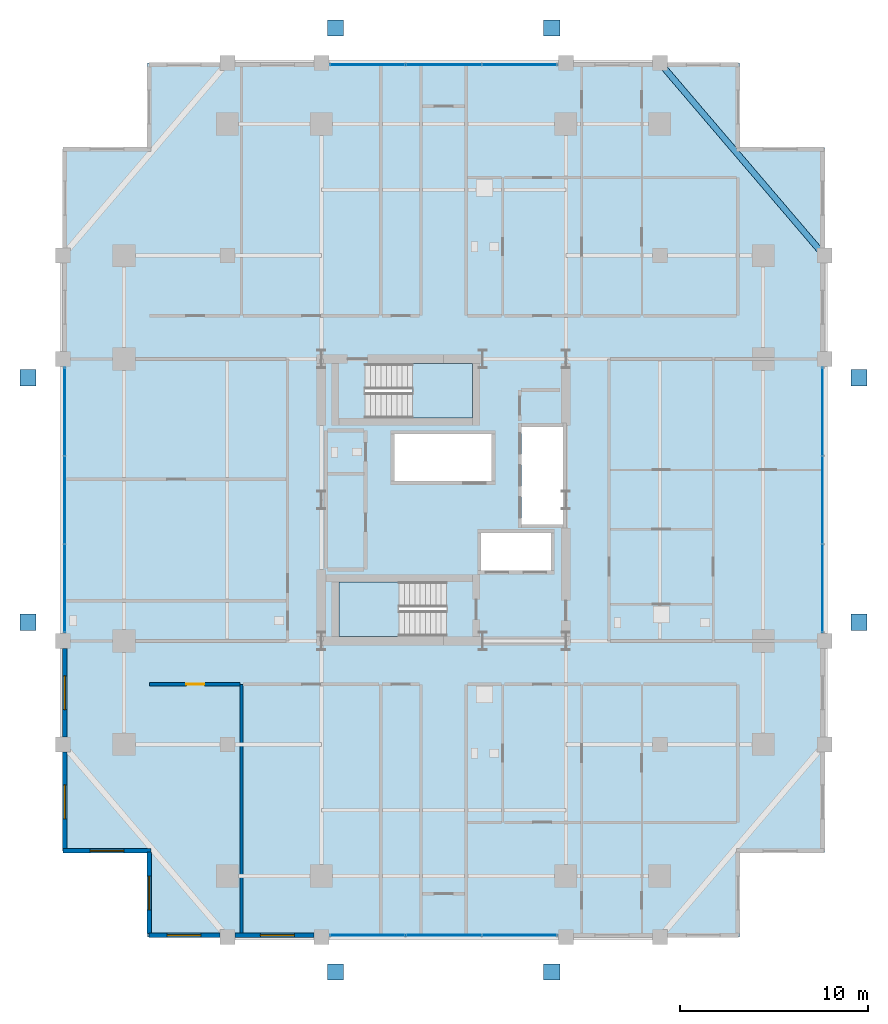
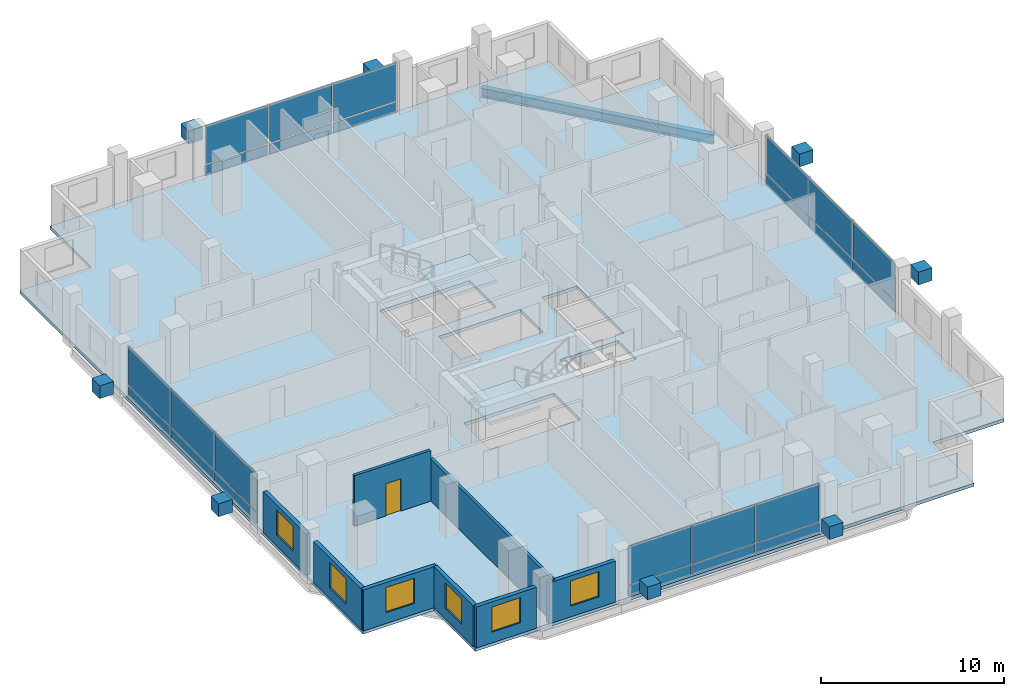
# One storey, part 13 of 19: 32 plates, 8 walls, 6 windows, 3 slabs, 1 beam, 1 door, 7 openings, 6 elements without a shape of their own.
"""IFC4 building model written with IfcOpenShell, lengths in metres."""

from ifc_helpers import new_model, si_unit, direction, frame, frame_2d, origin, origin_2d, place, context, subcontext, project, spatial, polyline, rectangle, i_section, outline, extrude, material, layer, layer_set, material_profile, profile_set, type_object, element, fill, aggregate, save


model = new_model("IFC4")

# Units and contexts
model_context = context("Model", 3, precision=1e-05, world=origin(), true_north=direction((0.0, 1.0)))
body_context = subcontext(model_context, "Body", "Model", "MODEL_VIEW")
ifc_project = project(units=[si_unit("LENGTHUNIT", "METRE"), si_unit("AREAUNIT", "SQUARE_METRE"), si_unit("VOLUMEUNIT", "CUBIC_METRE"), si_unit("PLANEANGLEUNIT", "RADIAN"), si_unit("MASSUNIT", "GRAM", prefix="KILO")], contexts=[model_context])

# Site, building, storey
site_placement = place(None, origin())
site = spatial("IfcSite", under=ifc_project, at=site_placement, CompositionType="ELEMENT")
building_placement = place(site_placement, origin())
building = spatial("IfcBuilding", under=site, at=building_placement, Name="Barlavira Tower and Art Museum", CompositionType="ELEMENT")
storey_placement = place(building_placement, frame((0.0, 0.0, 158.39990234375)))
storey = spatial("IfcBuildingStorey", under=building, at=storey_placement, Name="L40", CompositionType="ELEMENT", Elevation=158.39990234375)

# Beam
ifc_material_1 = material(Name="Steel S355", Category="steel")
ifc_material_profile = material_profile(ifc_material_1, i_section(OverallWidth=0.327880859375, OverallDepth=0.62890625, WebThickness=0.013916015625, FlangeThickness=0.021484375, at=origin_2d()), Name="W610x174.0")
ifc_profile_set = profile_set([ifc_material_profile], Name="Steel S355")
beam_type = type_object("IfcBeamType", Name="Perimeter Spandrel Edge Beam W610x174 Steel S355", PredefinedType="SPANDREL", material=ifc_profile_set)
beam_placement = place(storey_placement, frame((20.25, 13.0, -0.534423828125), z_axis=(-0.649262379928, 0.760564502202, 0.0), x_axis=(-0.760564502202, -0.649262379928, 0.0)))
element("IfcBeam", 1, at=beam_placement, inside=storey, type_object=beam_type, Name="L40 Spandrel 8", PredefinedType="SPANDREL", context=body_context, shape_type="SweptSolid", body=[
    extrude(i_section(OverallWidth=0.327880859375, OverallDepth=0.62890625, WebThickness=0.013916015625, FlangeThickness=0.021484375, at=origin_2d()), origin(), (0.0, 0.0, 1.0), 13.476806640625),
])

# Curtain wall, plates
ifc_material_2 = material(Name="Low-iron coastal laminated glass", Category="glass")
ifc_layer_1 = layer(ifc_material_2, 0.18994140625, Name="Low-iron coastal laminated glass")
ifc_layer_set_1 = layer_set([ifc_layer_1], Name="Low-iron coastal laminated glass")
curtain_wall_type = type_object("IfcCurtainWallType", Name="Pale-Metal Unitised Curtain Wall Zone 2", PredefinedType="NOTDEFINED", material=ifc_layer_set_1)
curtain_wall_1_placement = place(storey_placement, origin())
curtain_wall_1 = element("IfcCurtainWall", 2, at=curtain_wall_1_placement, inside=storey, type_object=curtain_wall_type, Name="L40 Curtain Wall CW2-L40-S-B3", PredefinedType="NOTDEFINED")
ifc_material_3 = material(Name="Pale anodised aluminium", Category="aluminium")
ifc_layer_2 = layer(ifc_material_3, 0.044921875, Name="Pale anodised aluminium")
ifc_layer_set_2 = layer_set([ifc_layer_2], Name="Pale anodised aluminium")
plate_type_1 = type_object("IfcPlateType", Name="Curtain Wall Pale-Metal Spandrel Panel 45", PredefinedType="CURTAIN_PANEL", material=ifc_layer_set_2)
plate_1_placement = place(storey_placement, frame((-4.05322265625, -23.14990234375, 0.0400390625), z_axis=(0.0, 0.0, 1.0), x_axis=(1.0, 0.0, 0.0)))
plate_1 = element("IfcPlate", 3, at=plate_1_placement, type_object=plate_type_1, Name="CW2-L40-S-B3 Spandrel Panel 0", PredefinedType="CURTAIN_PANEL", context=body_context, shape_type="SweptSolid", body=[
    extrude(rectangle(XDim=3.953369140625, YDim=0.044921875, at=origin_2d()), origin(), (0.0, 0.0, 1.0), 0.6640625),
])
plate_2_placement = place(storey_placement, frame((0.0, -23.14990234375, 0.0400390625), z_axis=(0.0, 0.0, 1.0), x_axis=(1.0, 0.0, 0.0)))
plate_2 = element("IfcPlate", 4, at=plate_2_placement, type_object=plate_type_1, Name="CW2-L40-S-B3 Spandrel Panel 1", PredefinedType="CURTAIN_PANEL", context=body_context, shape_type="SweptSolid", body=[
    extrude(rectangle(XDim=3.953369140625, YDim=0.044921875, at=origin_2d()), origin(), (0.0, 0.0, 1.0), 0.6640625),
])
plate_3_placement = place(storey_placement, frame((4.05322265625, -23.14990234375, 0.0400390625), z_axis=(0.0, 0.0, 1.0), x_axis=(1.0, 0.0, 0.0)))
plate_3 = element("IfcPlate", 5, at=plate_3_placement, type_object=plate_type_1, Name="CW2-L40-S-B3 Spandrel Panel 2", PredefinedType="CURTAIN_PANEL", context=body_context, shape_type="SweptSolid", body=[
    extrude(rectangle(XDim=3.953369140625, YDim=0.044921875, at=origin_2d()), origin(), (0.0, 0.0, 1.0), 0.6640625),
])

curtain_wall_2_placement = place(storey_placement, origin())
curtain_wall_2 = element("IfcCurtainWall", 6, at=curtain_wall_2_placement, inside=storey, type_object=curtain_wall_type, Name="L40 Curtain Wall CW2-L40-N-B3", PredefinedType="NOTDEFINED")
plate_4_placement = place(storey_placement, frame((4.05322265625, 23.14990234375, 0.0400390625), z_axis=(0.0, 0.0, 1.0), x_axis=(-1.0, 0.0, 0.0)))
plate_4 = element("IfcPlate", 7, at=plate_4_placement, type_object=plate_type_1, Name="CW2-L40-N-B3 Spandrel Panel 0", PredefinedType="CURTAIN_PANEL", context=body_context, shape_type="SweptSolid", body=[
    extrude(rectangle(XDim=3.953369140625, YDim=0.044921875, at=origin_2d()), origin(), (0.0, 0.0, 1.0), 0.6640625),
])
plate_5_placement = place(storey_placement, frame((0.0, 23.14990234375, 0.0400390625), z_axis=(0.0, 0.0, 1.0), x_axis=(-1.0, 0.0, 0.0)))
plate_5 = element("IfcPlate", 8, at=plate_5_placement, type_object=plate_type_1, Name="CW2-L40-N-B3 Spandrel Panel 1", PredefinedType="CURTAIN_PANEL", context=body_context, shape_type="SweptSolid", body=[
    extrude(rectangle(XDim=3.953369140625, YDim=0.044921875, at=origin_2d()), origin(), (0.0, 0.0, 1.0), 0.6640625),
])
plate_6_placement = place(storey_placement, frame((-4.05322265625, 23.14990234375, 0.0400390625), z_axis=(0.0, 0.0, 1.0), x_axis=(-1.0, 0.0, 0.0)))
plate_6 = element("IfcPlate", 9, at=plate_6_placement, type_object=plate_type_1, Name="CW2-L40-N-B3 Spandrel Panel 2", PredefinedType="CURTAIN_PANEL", context=body_context, shape_type="SweptSolid", body=[
    extrude(rectangle(XDim=3.953369140625, YDim=0.044921875, at=origin_2d()), origin(), (0.0, 0.0, 1.0), 0.6640625),
])

curtain_wall_3_placement = place(storey_placement, origin())
curtain_wall_3 = element("IfcCurtainWall", 10, at=curtain_wall_3_placement, inside=storey, type_object=curtain_wall_type, Name="L40 Curtain Wall CW2-L40-W-B3", PredefinedType="NOTDEFINED")
plate_7_placement = place(storey_placement, frame((-20.14990234375, 4.719970703125, 0.0400390625), z_axis=(0.0, 0.0, 1.0), x_axis=(0.0, -1.0, 0.0)))
plate_7 = element("IfcPlate", 11, at=plate_7_placement, type_object=plate_type_1, Name="CW2-L40-W-B3 Spandrel Panel 0", PredefinedType="CURTAIN_PANEL", context=body_context, shape_type="SweptSolid", body=[
    extrude(rectangle(XDim=4.6201171875, YDim=0.044921875, at=origin_2d()), origin(), (0.0, 0.0, 1.0), 0.6640625),
])
plate_8_placement = place(storey_placement, frame((-20.14990234375, 0.0, 0.0400390625), z_axis=(0.0, 0.0, 1.0), x_axis=(0.0, -1.0, 0.0)))
plate_8 = element("IfcPlate", 12, at=plate_8_placement, type_object=plate_type_1, Name="CW2-L40-W-B3 Spandrel Panel 1", PredefinedType="CURTAIN_PANEL", context=body_context, shape_type="SweptSolid", body=[
    extrude(rectangle(XDim=4.6201171875, YDim=0.044921875, at=origin_2d()), origin(), (0.0, 0.0, 1.0), 0.6640625),
])
plate_9_placement = place(storey_placement, frame((-20.14990234375, -4.719970703125, 0.0400390625), z_axis=(0.0, 0.0, 1.0), x_axis=(0.0, -1.0, 0.0)))
plate_9 = element("IfcPlate", 13, at=plate_9_placement, type_object=plate_type_1, Name="CW2-L40-W-B3 Spandrel Panel 2", PredefinedType="CURTAIN_PANEL", context=body_context, shape_type="SweptSolid", body=[
    extrude(rectangle(XDim=4.6201171875, YDim=0.044921875, at=origin_2d()), origin(), (0.0, 0.0, 1.0), 0.6640625),
])

curtain_wall_4_placement = place(storey_placement, origin())
curtain_wall_4 = element("IfcCurtainWall", 14, at=curtain_wall_4_placement, inside=storey, type_object=curtain_wall_type, Name="L40 Curtain Wall CW2-L40-E-B3", PredefinedType="NOTDEFINED")
plate_10_placement = place(storey_placement, frame((20.14990234375, -4.719970703125, 0.0400390625), z_axis=(0.0, 0.0, 1.0), x_axis=(0.0, 1.0, 0.0)))
plate_10 = element("IfcPlate", 15, at=plate_10_placement, type_object=plate_type_1, Name="CW2-L40-E-B3 Spandrel Panel 0", PredefinedType="CURTAIN_PANEL", context=body_context, shape_type="SweptSolid", body=[
    extrude(rectangle(XDim=4.6201171875, YDim=0.044921875, at=origin_2d()), origin(), (0.0, 0.0, 1.0), 0.6640625),
])
plate_11_placement = place(storey_placement, frame((20.14990234375, 0.0, 0.0400390625), z_axis=(0.0, 0.0, 1.0), x_axis=(0.0, 1.0, 0.0)))
plate_11 = element("IfcPlate", 16, at=plate_11_placement, type_object=plate_type_1, Name="CW2-L40-E-B3 Spandrel Panel 1", PredefinedType="CURTAIN_PANEL", context=body_context, shape_type="SweptSolid", body=[
    extrude(rectangle(XDim=4.6201171875, YDim=0.044921875, at=origin_2d()), origin(), (0.0, 0.0, 1.0), 0.6640625),
])
plate_12_placement = place(storey_placement, frame((20.14990234375, 4.719970703125, 0.0400390625), z_axis=(0.0, 0.0, 1.0), x_axis=(0.0, 1.0, 0.0)))
plate_12 = element("IfcPlate", 17, at=plate_12_placement, type_object=plate_type_1, Name="CW2-L40-E-B3 Spandrel Panel 2", PredefinedType="CURTAIN_PANEL", context=body_context, shape_type="SweptSolid", body=[
    extrude(rectangle(XDim=4.6201171875, YDim=0.044921875, at=origin_2d()), origin(), (0.0, 0.0, 1.0), 0.6640625),
])

# Plate
ifc_layer_3 = layer(ifc_material_2, 0.028076171875, Name="Low-iron coastal laminated glass")
ifc_layer_set_3 = layer_set([ifc_layer_3], Name="Low-iron coastal laminated glass")
plate_type_2 = type_object("IfcPlateType", Name="Curtain Wall Vision Glazing Panel 28", PredefinedType="CURTAIN_PANEL", material=ifc_layer_set_3)
plate_13_placement = place(storey_placement, frame((-4.05322265625, -23.14990234375, 0.7841796875), z_axis=(0.0, 0.0, 1.0), x_axis=(1.0, 0.0, 0.0)))
plate_13 = element("IfcPlate", 18, at=plate_13_placement, type_object=plate_type_2, Name="CW2-L40-S-B3 Vision Glass Panel 0", PredefinedType="CURTAIN_PANEL", context=body_context, shape_type="SweptSolid", body=[
    extrude(rectangle(XDim=3.953369140625, YDim=0.028076171875, at=origin_2d()), origin(), (0.0, 0.0, 1.0), 2.555908203125),
])

plate_14_placement = place(storey_placement, frame((0.0, -23.14990234375, 0.7841796875), z_axis=(0.0, 0.0, 1.0), x_axis=(1.0, 0.0, 0.0)))
plate_14 = element("IfcPlate", 19, at=plate_14_placement, type_object=plate_type_2, Name="CW2-L40-S-B3 Vision Glass Panel 1", PredefinedType="CURTAIN_PANEL", context=body_context, shape_type="SweptSolid", body=[
    extrude(rectangle(XDim=3.953369140625, YDim=0.028076171875, at=origin_2d()), origin(), (0.0, 0.0, 1.0), 2.555908203125),
])

plate_15_placement = place(storey_placement, frame((4.05322265625, -23.14990234375, 0.7841796875), z_axis=(0.0, 0.0, 1.0), x_axis=(1.0, 0.0, 0.0)))
plate_15 = element("IfcPlate", 20, at=plate_15_placement, type_object=plate_type_2, Name="CW2-L40-S-B3 Vision Glass Panel 2", PredefinedType="CURTAIN_PANEL", context=body_context, shape_type="SweptSolid", body=[
    extrude(rectangle(XDim=3.953369140625, YDim=0.028076171875, at=origin_2d()), origin(), (0.0, 0.0, 1.0), 2.555908203125),
])

aggregate(curtain_wall_1, [plate_1, plate_13, plate_2, plate_14, plate_3, plate_15])

plate_16_placement = place(storey_placement, frame((4.05322265625, 23.14990234375, 0.7841796875), z_axis=(0.0, 0.0, 1.0), x_axis=(-1.0, 0.0, 0.0)))
plate_16 = element("IfcPlate", 21, at=plate_16_placement, type_object=plate_type_2, Name="CW2-L40-N-B3 Vision Glass Panel 0", PredefinedType="CURTAIN_PANEL", context=body_context, shape_type="SweptSolid", body=[
    extrude(rectangle(XDim=3.953369140625, YDim=0.028076171875, at=origin_2d()), origin(), (0.0, 0.0, 1.0), 2.555908203125),
])

plate_17_placement = place(storey_placement, frame((0.0, 23.14990234375, 0.7841796875), z_axis=(0.0, 0.0, 1.0), x_axis=(-1.0, 0.0, 0.0)))
plate_17 = element("IfcPlate", 22, at=plate_17_placement, type_object=plate_type_2, Name="CW2-L40-N-B3 Vision Glass Panel 1", PredefinedType="CURTAIN_PANEL", context=body_context, shape_type="SweptSolid", body=[
    extrude(rectangle(XDim=3.953369140625, YDim=0.028076171875, at=origin_2d()), origin(), (0.0, 0.0, 1.0), 2.555908203125),
])

plate_18_placement = place(storey_placement, frame((-4.05322265625, 23.14990234375, 0.7841796875), z_axis=(0.0, 0.0, 1.0), x_axis=(-1.0, 0.0, 0.0)))
plate_18 = element("IfcPlate", 23, at=plate_18_placement, type_object=plate_type_2, Name="CW2-L40-N-B3 Vision Glass Panel 2", PredefinedType="CURTAIN_PANEL", context=body_context, shape_type="SweptSolid", body=[
    extrude(rectangle(XDim=3.953369140625, YDim=0.028076171875, at=origin_2d()), origin(), (0.0, 0.0, 1.0), 2.555908203125),
])

aggregate(curtain_wall_2, [plate_4, plate_16, plate_5, plate_17, plate_6, plate_18])

plate_19_placement = place(storey_placement, frame((-20.14990234375, 4.719970703125, 0.7841796875), z_axis=(0.0, 0.0, 1.0), x_axis=(0.0, -1.0, 0.0)))
plate_19 = element("IfcPlate", 24, at=plate_19_placement, type_object=plate_type_2, Name="CW2-L40-W-B3 Vision Glass Panel 0", PredefinedType="CURTAIN_PANEL", context=body_context, shape_type="SweptSolid", body=[
    extrude(rectangle(XDim=4.6201171875, YDim=0.028076171875, at=origin_2d()), origin(), (0.0, 0.0, 1.0), 2.555908203125),
])

plate_20_placement = place(storey_placement, frame((-20.14990234375, 0.0, 0.7841796875), z_axis=(0.0, 0.0, 1.0), x_axis=(0.0, -1.0, 0.0)))
plate_20 = element("IfcPlate", 25, at=plate_20_placement, type_object=plate_type_2, Name="CW2-L40-W-B3 Vision Glass Panel 1", PredefinedType="CURTAIN_PANEL", context=body_context, shape_type="SweptSolid", body=[
    extrude(rectangle(XDim=4.6201171875, YDim=0.028076171875, at=origin_2d()), origin(), (0.0, 0.0, 1.0), 2.555908203125),
])

plate_21_placement = place(storey_placement, frame((-20.14990234375, -4.719970703125, 0.7841796875), z_axis=(0.0, 0.0, 1.0), x_axis=(0.0, -1.0, 0.0)))
plate_21 = element("IfcPlate", 26, at=plate_21_placement, type_object=plate_type_2, Name="CW2-L40-W-B3 Vision Glass Panel 2", PredefinedType="CURTAIN_PANEL", context=body_context, shape_type="SweptSolid", body=[
    extrude(rectangle(XDim=4.6201171875, YDim=0.028076171875, at=origin_2d()), origin(), (0.0, 0.0, 1.0), 2.555908203125),
])

aggregate(curtain_wall_3, [plate_7, plate_19, plate_8, plate_20, plate_9, plate_21])

plate_22_placement = place(storey_placement, frame((20.14990234375, -4.719970703125, 0.7841796875), z_axis=(0.0, 0.0, 1.0), x_axis=(0.0, 1.0, 0.0)))
plate_22 = element("IfcPlate", 27, at=plate_22_placement, type_object=plate_type_2, Name="CW2-L40-E-B3 Vision Glass Panel 0", PredefinedType="CURTAIN_PANEL", context=body_context, shape_type="SweptSolid", body=[
    extrude(rectangle(XDim=4.6201171875, YDim=0.028076171875, at=origin_2d()), origin(), (0.0, 0.0, 1.0), 2.555908203125),
])

plate_23_placement = place(storey_placement, frame((20.14990234375, 0.0, 0.7841796875), z_axis=(0.0, 0.0, 1.0), x_axis=(0.0, 1.0, 0.0)))
plate_23 = element("IfcPlate", 28, at=plate_23_placement, type_object=plate_type_2, Name="CW2-L40-E-B3 Vision Glass Panel 1", PredefinedType="CURTAIN_PANEL", context=body_context, shape_type="SweptSolid", body=[
    extrude(rectangle(XDim=4.6201171875, YDim=0.028076171875, at=origin_2d()), origin(), (0.0, 0.0, 1.0), 2.555908203125),
])

plate_24_placement = place(storey_placement, frame((20.14990234375, 4.719970703125, 0.7841796875), z_axis=(0.0, 0.0, 1.0), x_axis=(0.0, 1.0, 0.0)))
plate_24 = element("IfcPlate", 29, at=plate_24_placement, type_object=plate_type_2, Name="CW2-L40-E-B3 Vision Glass Panel 2", PredefinedType="CURTAIN_PANEL", context=body_context, shape_type="SweptSolid", body=[
    extrude(rectangle(XDim=4.6201171875, YDim=0.028076171875, at=origin_2d()), origin(), (0.0, 0.0, 1.0), 2.555908203125),
])

aggregate(curtain_wall_4, [plate_10, plate_22, plate_11, plate_23, plate_12, plate_24])

# Plates
ifc_layer_4 = layer(ifc_material_1, 0.860107421875, Name="Steel S355")
ifc_layer_set_4 = layer_set([ifc_layer_4], Name="Steel S355")
plate_type_3 = type_object("IfcPlateType", Name="Exoskeleton Solid Steel Node Cap Plate Assembly Type 2 Steel S355", PredefinedType="USERDEFINED", material=ifc_layer_set_4)
for number, where, z_axis, x_axis, name in (
    (30, (-5.75, -25.10009765625, 1.25), (0.0, 0.0, 1.0), (1.0, 0.0, 0.0), "Exoskeleton Diamond Node S1 ND-L40-0412"),
    (31, (5.75, -25.10009765625, 1.25), (0.0, 0.0, 1.0), (1.0, 0.0, 0.0), "Exoskeleton Diamond Node S2 ND-L40-0413"),
    (32, (-5.75, 25.10009765625, 1.25), (0.0, 0.0, 1.0), (1.0, 0.0, 0.0), "Exoskeleton Diamond Node N1 ND-L40-0423"),
    (33, (5.75, 25.10009765625, 1.25), (0.0, 0.0, 1.0), (1.0, 0.0, 0.0), "Exoskeleton Diamond Node N2 ND-L40-0424"),
    (34, (-22.10009765625, -6.5, 1.25), (0.0, 0.0, 1.0), (1.0, 0.0, 0.0), "Exoskeleton Diamond Node W1 ND-L40-0434"),
    (35, (-22.10009765625, 6.5, 1.25), (0.0, 0.0, 1.0), (1.0, 0.0, 0.0), "Exoskeleton Diamond Node W2 ND-L40-0435"),
    (36, (22.10009765625, -6.5, 1.25), (0.0, 0.0, 1.0), (1.0, 0.0, 0.0), "Exoskeleton Diamond Node E1 ND-L40-0445"),
    (37, (22.10009765625, 6.5, 1.25), (0.0, 0.0, 1.0), (1.0, 0.0, 0.0), "Exoskeleton Diamond Node E2 ND-L40-0446"),
):
    element("IfcPlate", number, at=place(storey_placement, frame(where, z_axis=z_axis, x_axis=x_axis)), inside=storey, type_object=plate_type_3, Name=name, ObjectType="FLANGE_PLATE", PredefinedType="USERDEFINED", context=body_context, shape_type="SweptSolid", body=[
        extrude(rectangle(XDim=0.860107421875, YDim=0.860107421875, at=origin_2d()), origin(), (0.0, 0.0, 1.0), 0.860107421875),
    ])

# Stair, slab
ifc_material_4 = material(Name="Concrete C45", Category="concrete")
stair_type_1 = type_object("IfcStairType", Name="Tower North Dog-Leg Exit Stair Assembly Concrete C45", PredefinedType="TWO_QUARTER_TURN_STAIR", material=ifc_material_4)
stair_1_placement = place(storey_placement, origin())
stair_1 = element("IfcStair", 38, at=stair_1_placement, inside=storey, type_object=stair_type_1, Name="L40 Tower North Exit Stair ST-T2", PredefinedType="TWO_QUARTER_TURN_STAIR")
ifc_layer_5 = layer(ifc_material_4, 0.199951171875, Name="Concrete C45")
ifc_layer_set_5 = layer_set([ifc_layer_5], Name="Concrete C45")
slab_type_1 = type_object("IfcSlabType", Name="Tower North Dog-Leg Exit Stair Half-Landing Slab 200 Concrete C45", PredefinedType="LANDING", material=ifc_layer_set_5)
slab_1_placement = place(storey_placement, frame((0.0, 0.0, 1.60009765625)))
slab_1 = element("IfcSlab", 39, at=slab_1_placement, type_object=slab_type_1, Name="ST-T2 landing 1", PredefinedType="LANDING", context=body_context, shape_type="SweptSolid", body=[
    extrude(outline(polyline([(-1.64990234375, 4.35009765625), (1.530029296875, 4.35009765625), (1.530029296875, 7.25), (-1.64990234375, 7.25), (-1.64990234375, 4.35009765625)])), origin(), (0.0, 0.0, 1.0), 0.199951171875),
])
aggregate(stair_1, [slab_1])

stair_type_2 = type_object("IfcStairType", Name="Tower South Dog-Leg Exit Stair Assembly Concrete C45", PredefinedType="TWO_QUARTER_TURN_STAIR", material=ifc_material_4)
stair_2_placement = place(storey_placement, origin())
stair_2 = element("IfcStair", 40, at=stair_2_placement, inside=storey, type_object=stair_type_2, Name="L40 Tower South Exit Stair ST-T1", PredefinedType="TWO_QUARTER_TURN_STAIR")
ifc_layer_6 = layer(ifc_material_4, 0.199951171875, Name="Concrete C45")
ifc_layer_set_6 = layer_set([ifc_layer_6], Name="Concrete C45")
slab_type_2 = type_object("IfcSlabType", Name="Tower South Dog-Leg Exit Stair Half-Landing Slab 200 Concrete C45", PredefinedType="LANDING", material=ifc_layer_set_6)
slab_2_placement = place(storey_placement, frame((0.0, 0.0, 1.60009765625)))
slab_2 = element("IfcSlab", 41, at=slab_2_placement, type_object=slab_type_2, Name="ST-T1 landing 1", PredefinedType="LANDING", context=body_context, shape_type="SweptSolid", body=[
    extrude(outline(polyline([(-2.3701171875, -4.35009765625), (-5.550048828125, -4.35009765625), (-5.550048828125, -7.25), (-2.3701171875, -7.25), (-2.3701171875, -4.35009765625)])), origin(), (0.0, 0.0, 1.0), 0.199951171875),
])
aggregate(stair_2, [slab_2])

# Slab
ifc_material_5 = material(Name="Concrete C50", Category="concrete")
ifc_layer_7 = layer(ifc_material_5, 0.2099609375, Name="Concrete C50")
ifc_layer_set_7 = layer_set([ifc_layer_7], Name="Concrete C50")
slab_type_3 = type_object("IfcSlabType", Name="Zone 2 Residential Composite Slab 210 Concrete C50", PredefinedType="FLOOR", material=ifc_layer_set_7)
slab_3_placement = place(storey_placement, frame((0.0, 0.0, -0.219970703125)))
element("IfcSlab", 42, at=slab_3_placement, inside=storey, type_object=slab_type_3, Name="L40 Tower Floor Slab", PredefinedType="FLOOR", context=body_context, shape_type="SweptSolid", body=[
    extrude(outline(polyline([(-15.75, -23.25), (15.75, -23.25), (15.75, -18.75), (20.25, -18.75), (20.25, 18.75), (15.75, 18.75), (15.75, 23.25), (-15.75, 23.25), (-15.75, 18.75), (-20.25, 18.75), (-20.25, -18.75), (-15.75, -18.75), (-15.75, -23.25)]), holes=[polyline([(0.14990234375, -4.35009765625), (-5.550048828125, -4.35009765625), (-5.550048828125, -7.25), (0.14990234375, -7.25), (0.14990234375, -4.35009765625)]), polyline([(-4.169921875, 4.35009765625), (1.530029296875, 4.35009765625), (1.530029296875, 7.25), (-4.169921875, 7.25), (-4.169921875, 4.35009765625)]), polyline([(4.14990234375, -1.2900390625), (6.35009765625, -1.2900390625), (6.35009765625, 3.889892578125), (4.14990234375, 3.889892578125), (4.14990234375, -1.2900390625)]), polyline([(-2.6201171875, 1.0), (2.56005859375, 1.0), (2.56005859375, 3.5), (-2.6201171875, 3.5), (-2.6201171875, 1.0)]), polyline([(2.0, -3.75), (5.699951171875, -3.75), (5.699951171875, -1.75), (2.0, -1.75), (2.0, -3.75)])]), origin(), (0.0, 0.0, 1.0), 0.219970703125),
])

# Wall
ifc_material_6 = material(Name="Gypsum acoustic stud partition", Category="gypsum")
ifc_layer_8 = layer(ifc_material_6, 0.179931640625, Name="Gypsum acoustic stud partition")
ifc_layer_set_8 = layer_set([ifc_layer_8], Name="Gypsum acoustic stud partition")
wall_type_1 = type_object("IfcWallType", Name="Inter-Tenancy Party Partition Wall 180", PredefinedType="PARTITIONING", material=ifc_layer_set_8)
wall_1_placement = place(storey_placement, frame((-10.75, -23.14990234375, 0.0), z_axis=(0.0, 0.0, 1.0), x_axis=(0.0, 1.0, 0.0)))
element("IfcWall", 43, at=wall_1_placement, inside=storey, type_object=wall_type_1, Name="L40 Partition Wall 1", PredefinedType="PARTITIONING", context=body_context, shape_type="SweptSolid", body=[
    extrude(rectangle(XDim=13.349853515625, YDim=0.179931640625, at=frame_2d((6.6748046875, 0.0))), origin(), (0.0, 0.0, 1.0), 2.816162109375),
])

# Wall, opening, door
wall_2_placement = place(storey_placement, frame((-15.64990234375, -9.800048828125, 0.0), z_axis=(0.0, 0.0, 1.0), x_axis=(1.0, 0.0, 0.0)))
wall_2 = element("IfcWall", 44, at=wall_2_placement, inside=storey, type_object=wall_type_1, Name="L40 Partition Wall 28", PredefinedType="PARTITIONING", context=body_context, shape_type="SweptSolid", body=[
    extrude(rectangle(XDim=4.81982421875, YDim=0.179931640625, at=frame_2d((2.409912109375, 0.0))), origin(), (0.0, 0.0, 1.0), 3.380126953125),
])
opening_1_placement = place(wall_2_placement, frame((1.97509765625, 0.0, 0.0)))
opening_1 = element("IfcOpeningElement", 45, at=opening_1_placement, cuts=wall_2, Name="Opening FD-60", PredefinedType="OPENING", context=body_context, shape_type="SweptSolid", body=[
    extrude(rectangle(XDim=0.949951171875, YDim=2.14990234375, at=frame_2d((0.47509765625, 1.074951171875))), frame((0.0, 0.10009765625, 0.0), z_axis=(0.0, -1.0, 0.0), x_axis=(1.0, 0.0, 0.0)), (0.0, 0.0, 1.0), 0.199951171875),
])
ifc_material_7 = material(Name="Brushed stainless steel", Category="steel")
door_type = type_object("IfcDoorType", Name="Apartment Entrance and Riser Fire Door 950x2150 FD60S", OperationType="NOTDEFINED", PredefinedType="DOOR", material=ifc_material_7)
door_placement = place(opening_1_placement, origin())
door = element("IfcDoor", 46, at=door_placement, inside=storey, type_object=door_type, Name="Resident Sky Coworking Studio Door", OperationType="SINGLE_SWING_RIGHT", OverallHeight=2.14990234375, OverallWidth=0.949951171875, PredefinedType="DOOR", context=body_context, shape_type="SweptSolid", body=[
    extrude(rectangle(XDim=0.949951171875, YDim=2.14990234375, at=frame_2d((0.47509765625, 1.074951171875))), frame((0.0, 0.02490234375, 0.0), z_axis=(0.0, -1.0, 0.0), x_axis=(1.0, 0.0, 0.0)), (0.0, 0.0, 1.0), 0.050048828125),
])
fill(opening_1, door)

# Wall, opening, window
ifc_material_8 = material(Name="Precast concrete C40", Category="concrete")
ifc_layer_9 = layer(ifc_material_8, 0.25, Name="Precast concrete C40")
ifc_layer_set_9 = layer_set([ifc_layer_9], Name="Precast concrete C40")
wall_type_2 = type_object("IfcWallType", Name="Notched Corner Spandrel Wall 250 Precast Concrete C40", PredefinedType="SOLIDWALL", material=ifc_layer_set_9)
wall_3_placement = place(storey_placement, frame((-15.675048828125, -23.14990234375, 0.0), z_axis=(0.0, 0.0, 1.0), x_axis=(1.0, 0.0, 0.0)))
wall_3 = element("IfcWall", 47, at=wall_3_placement, inside=storey, type_object=wall_type_2, Name="L40 Coastal Facade Pier Wall CW2-L40-S-1", PredefinedType="SOLIDWALL", context=body_context, shape_type="SweptSolid", body=[
    extrude(rectangle(XDim=3.780029296875, YDim=0.25, at=frame_2d((1.89013671875, 0.0))), origin(), (0.0, 0.0, 1.0), 2.736083984375),
])
opening_2_placement = place(wall_3_placement, frame((0.968017578125, 0.0, 0.719970703125)))
opening_2 = element("IfcOpeningElement", 48, at=opening_2_placement, cuts=wall_3, Name="Opening WN-01", PredefinedType="OPENING", context=body_context, shape_type="SweptSolid", body=[
    extrude(rectangle(XDim=1.800048828125, YDim=1.679931640625, at=frame_2d((0.89990234375, 0.83984375))), frame((0.0, 0.135009765625, 0.0), z_axis=(0.0, -1.0, 0.0), x_axis=(1.0, 0.0, 0.0)), (0.0, 0.0, 1.0), 0.27001953125),
])
window_type = type_object("IfcWindowType", Name="Recessed Notch Corner Punch Window 1800x1680", PartitioningType="SINGLE_PANEL", PredefinedType="WINDOW", material=ifc_material_2)
window_1_placement = place(opening_2_placement, origin())
window_1 = element("IfcWindow", 49, at=window_1_placement, inside=storey, type_object=window_type, Name="L40 Punched Facade Window EWP-CW2-L40-S-1-1", OverallHeight=1.679931640625, OverallWidth=1.800048828125, PartitioningType="SINGLE_PANEL", PredefinedType="WINDOW", context=body_context, shape_type="SweptSolid", body=[
    extrude(rectangle(XDim=1.800048828125, YDim=1.679931640625, at=frame_2d((0.89990234375, 0.83984375))), frame((0.0, 0.030029296875, 0.0), z_axis=(0.0, -1.0, 0.0), x_axis=(1.0, 0.0, 0.0)), (0.0, 0.0, 1.0), 0.06005859375),
])
fill(opening_2, window_1)

wall_4_placement = place(storey_placement, frame((-11.10498046875, -23.14990234375, 0.0), z_axis=(0.0, 0.0, 1.0), x_axis=(1.0, 0.0, 0.0)))
wall_4 = element("IfcWall", 50, at=wall_4_placement, inside=storey, type_object=wall_type_2, Name="L40 Coastal Facade Pier Wall CW2-L40-S-2", PredefinedType="SOLIDWALL", context=body_context, shape_type="SweptSolid", body=[
    extrude(rectangle(XDim=4.2099609375, YDim=0.25, at=frame_2d((2.10498046875, 0.0))), origin(), (0.0, 0.0, 1.0), 2.736083984375),
])
opening_3_placement = place(wall_4_placement, frame((1.364990234375, 0.0, 0.719970703125)))
opening_3 = element("IfcOpeningElement", 51, at=opening_3_placement, cuts=wall_4, Name="Opening WN-01", PredefinedType="OPENING", context=body_context, shape_type="SweptSolid", body=[
    extrude(rectangle(XDim=1.800048828125, YDim=1.679931640625, at=frame_2d((0.89990234375, 0.83984375))), frame((0.0, 0.135009765625, 0.0), z_axis=(0.0, -1.0, 0.0), x_axis=(1.0, 0.0, 0.0)), (0.0, 0.0, 1.0), 0.27001953125),
])
window_2_placement = place(opening_3_placement, origin())
window_2 = element("IfcWindow", 52, at=window_2_placement, inside=storey, type_object=window_type, Name="L40 Punched Facade Window EWP-CW2-L40-S-2-1", OverallHeight=1.679931640625, OverallWidth=1.800048828125, PartitioningType="SINGLE_PANEL", PredefinedType="WINDOW", context=body_context, shape_type="SweptSolid", body=[
    extrude(rectangle(XDim=1.800048828125, YDim=1.679931640625, at=frame_2d((0.89990234375, 0.83984375))), frame((0.0, 0.030029296875, 0.0), z_axis=(0.0, -1.0, 0.0), x_axis=(1.0, 0.0, 0.0)), (0.0, 0.0, 1.0), 0.06005859375),
])
fill(opening_3, window_2)

wall_5_placement = place(storey_placement, frame((-20.14990234375, -7.89501953125, 0.0), z_axis=(0.0, 0.0, 1.0), x_axis=(0.0, -1.0, 0.0)))
wall_5 = element("IfcWall", 53, at=wall_5_placement, inside=storey, type_object=wall_type_2, Name="L40 Coastal Facade Pier Wall CW2-L40-W-4", PredefinedType="SOLIDWALL", context=body_context, shape_type="SweptSolid", body=[
    extrude(rectangle(XDim=4.7099609375, YDim=0.25, at=frame_2d((2.35498046875, 0.0))), origin(), (0.0, 0.0, 1.0), 2.736083984375),
])
opening_4_placement = place(wall_5_placement, frame((1.455078125, 0.0, 0.719970703125)))
opening_4 = element("IfcOpeningElement", 54, at=opening_4_placement, cuts=wall_5, Name="Opening WN-01", PredefinedType="OPENING", context=body_context, shape_type="SweptSolid", body=[
    extrude(rectangle(XDim=1.800048828125, YDim=1.679931640625, at=frame_2d((0.89990234375, 0.83984375))), frame((0.0, 0.135009765625, 0.0), z_axis=(0.0, -1.0, 0.0), x_axis=(1.0, 0.0, 0.0)), (0.0, 0.0, 1.0), 0.27001953125),
])
window_3_placement = place(opening_4_placement, origin())
window_3 = element("IfcWindow", 55, at=window_3_placement, inside=storey, type_object=window_type, Name="L40 Punched Facade Window EWP-CW2-L40-W-4-1", OverallHeight=1.679931640625, OverallWidth=1.800048828125, PartitioningType="SINGLE_PANEL", PredefinedType="WINDOW", context=body_context, shape_type="SweptSolid", body=[
    extrude(rectangle(XDim=1.800048828125, YDim=1.679931640625, at=frame_2d((0.89990234375, 0.83984375))), frame((0.0, 0.030029296875, 0.0), z_axis=(0.0, -1.0, 0.0), x_axis=(1.0, 0.0, 0.0)), (0.0, 0.0, 1.0), 0.06005859375),
])
fill(opening_4, window_3)

wall_6_placement = place(storey_placement, frame((-20.14990234375, -13.39501953125, 0.0), z_axis=(0.0, 0.0, 1.0), x_axis=(0.0, -1.0, 0.0)))
wall_6 = element("IfcWall", 56, at=wall_6_placement, inside=storey, type_object=wall_type_2, Name="L40 Coastal Facade Pier Wall CW2-L40-W-5", PredefinedType="SOLIDWALL", context=body_context, shape_type="SweptSolid", body=[
    extrude(rectangle(XDim=5.280029296875, YDim=0.25, at=frame_2d((2.64013671875, 0.0))), origin(), (0.0, 0.0, 1.0), 2.736083984375),
])
opening_5_placement = place(wall_6_placement, frame((1.762939453125, 0.0, 0.719970703125)))
opening_5 = element("IfcOpeningElement", 57, at=opening_5_placement, cuts=wall_6, Name="Opening WN-01", PredefinedType="OPENING", context=body_context, shape_type="SweptSolid", body=[
    extrude(rectangle(XDim=1.800048828125, YDim=1.679931640625, at=frame_2d((0.89990234375, 0.83984375))), frame((0.0, 0.135009765625, 0.0), z_axis=(0.0, -1.0, 0.0), x_axis=(1.0, 0.0, 0.0)), (0.0, 0.0, 1.0), 0.27001953125),
])
window_4_placement = place(opening_5_placement, origin())
window_4 = element("IfcWindow", 58, at=window_4_placement, inside=storey, type_object=window_type, Name="L40 Punched Facade Window EWP-CW2-L40-W-5-1", OverallHeight=1.679931640625, OverallWidth=1.800048828125, PartitioningType="SINGLE_PANEL", PredefinedType="WINDOW", context=body_context, shape_type="SweptSolid", body=[
    extrude(rectangle(XDim=1.800048828125, YDim=1.679931640625, at=frame_2d((0.89990234375, 0.83984375))), frame((0.0, 0.030029296875, 0.0), z_axis=(0.0, -1.0, 0.0), x_axis=(1.0, 0.0, 0.0)), (0.0, 0.0, 1.0), 0.06005859375),
])
fill(opening_5, window_4)

wall_7_placement = place(storey_placement, frame((-20.22998046875, -18.64990234375, 0.0), z_axis=(0.0, 0.0, 1.0), x_axis=(1.0, 0.0, 0.0)))
wall_7 = element("IfcWall", 59, at=wall_7_placement, inside=storey, type_object=wall_type_2, Name="L40 Notch Corner Wall SW1", PredefinedType="SOLIDWALL", context=body_context, shape_type="SweptSolid", body=[
    extrude(rectangle(XDim=4.659912109375, YDim=0.25, at=frame_2d((2.330078125, 0.0))), origin(), (0.0, 0.0, 1.0), 2.736083984375),
])
opening_6_placement = place(wall_7_placement, frame((1.429931640625, 0.0, 0.719970703125)))
opening_6 = element("IfcOpeningElement", 60, at=opening_6_placement, cuts=wall_7, Name="Opening WN-01", PredefinedType="OPENING", context=body_context, shape_type="SweptSolid", body=[
    extrude(rectangle(XDim=1.800048828125, YDim=1.679931640625, at=frame_2d((0.89990234375, 0.83984375))), frame((0.0, 0.135009765625, 0.0), z_axis=(0.0, -1.0, 0.0), x_axis=(1.0, 0.0, 0.0)), (0.0, 0.0, 1.0), 0.27001953125),
])
window_5_placement = place(opening_6_placement, origin())
window_5 = element("IfcWindow", 61, at=window_5_placement, inside=storey, type_object=window_type, Name="L40 Punched Facade Window EW-NTC-L40-SW1-1", OverallHeight=1.679931640625, OverallWidth=1.800048828125, PartitioningType="SINGLE_PANEL", PredefinedType="WINDOW", context=body_context, shape_type="SweptSolid", body=[
    extrude(rectangle(XDim=1.800048828125, YDim=1.679931640625, at=frame_2d((0.89990234375, 0.83984375))), frame((0.0, 0.030029296875, 0.0), z_axis=(0.0, -1.0, 0.0), x_axis=(1.0, 0.0, 0.0)), (0.0, 0.0, 1.0), 0.06005859375),
])
fill(opening_6, window_5)

wall_8_placement = place(storey_placement, frame((-15.64990234375, -18.72998046875, 0.0), z_axis=(0.0, 0.0, 1.0), x_axis=(0.0, -1.0, 0.0)))
wall_8 = element("IfcWall", 62, at=wall_8_placement, inside=storey, type_object=wall_type_2, Name="L40 Notch Corner Wall SW2", PredefinedType="SOLIDWALL", context=body_context, shape_type="SweptSolid", body=[
    extrude(rectangle(XDim=4.340087890625, YDim=0.25, at=frame_2d((2.169921875, 0.0))), origin(), (0.0, 0.0, 1.0), 2.736083984375),
])
opening_7_placement = place(wall_8_placement, frame((1.27001953125, 0.0, 0.719970703125)))
opening_7 = element("IfcOpeningElement", 63, at=opening_7_placement, cuts=wall_8, Name="Opening WN-01", PredefinedType="OPENING", context=body_context, shape_type="SweptSolid", body=[
    extrude(rectangle(XDim=1.800048828125, YDim=1.679931640625, at=frame_2d((0.89990234375, 0.83984375))), frame((0.0, 0.135009765625, 0.0), z_axis=(0.0, -1.0, 0.0), x_axis=(1.0, 0.0, 0.0)), (0.0, 0.0, 1.0), 0.27001953125),
])
window_6_placement = place(opening_7_placement, origin())
window_6 = element("IfcWindow", 64, at=window_6_placement, inside=storey, type_object=window_type, Name="L40 Punched Facade Window EW-NTC-L40-SW2-1", OverallHeight=1.679931640625, OverallWidth=1.800048828125, PartitioningType="SINGLE_PANEL", PredefinedType="WINDOW", context=body_context, shape_type="SweptSolid", body=[
    extrude(rectangle(XDim=1.800048828125, YDim=1.679931640625, at=frame_2d((0.89990234375, 0.83984375))), frame((0.0, 0.030029296875, 0.0), z_axis=(0.0, -1.0, 0.0), x_axis=(1.0, 0.0, 0.0)), (0.0, 0.0, 1.0), 0.06005859375),
])
fill(opening_7, window_6)

save(model, "model.ifc")
